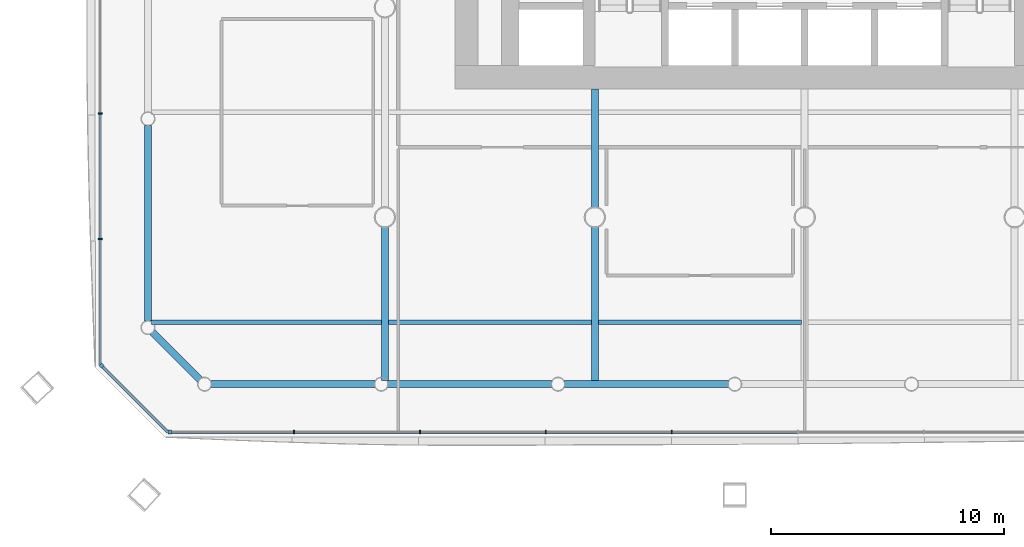
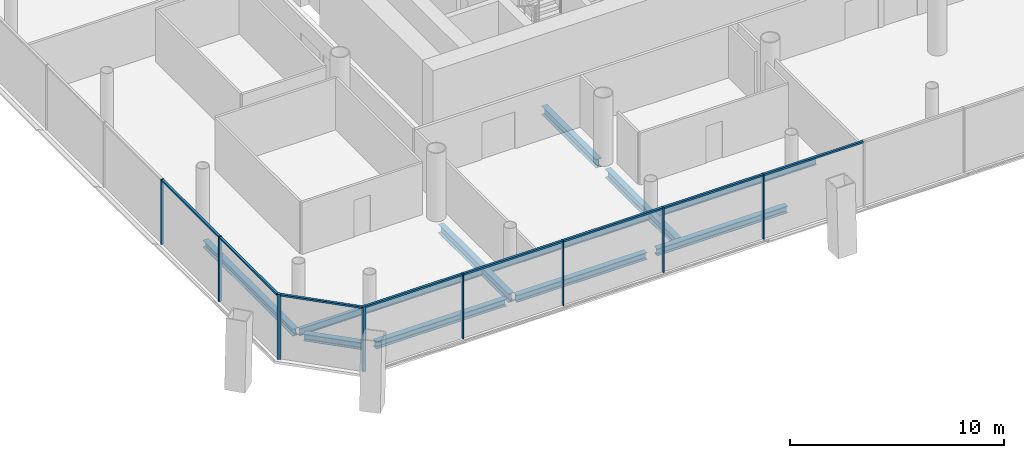
# One storey, part 3 of 22: 16 members, 11 beams, 3 elements without a shape of their own.
"""IFC4 building model written with IfcOpenShell, lengths in metres."""

from ifc_helpers import new_model, si_unit, direction, frame, origin, origin_2d, place, context, subcontext, project, spatial, rectangle, i_section, extrude, material, material_profile, profile_set, type_object, element, aggregate, save


model = new_model("IFC4")

# Units and contexts
model_context = context("Model", 3, precision=1e-05, world=origin(), true_north=direction((0.0, 1.0)))
body_context = subcontext(model_context, "Body", "Model", "MODEL_VIEW")
ifc_project = project(units=[si_unit("LENGTHUNIT", "METRE"), si_unit("AREAUNIT", "SQUARE_METRE"), si_unit("VOLUMEUNIT", "CUBIC_METRE"), si_unit("PLANEANGLEUNIT", "RADIAN"), si_unit("MASSUNIT", "GRAM", prefix="KILO")], contexts=[model_context])

# Site, building, storey
site_placement = place(None, origin())
site = spatial("IfcSite", under=ifc_project, at=site_placement, CompositionType="ELEMENT")
building_placement = place(site_placement, origin())
building = spatial("IfcBuilding", under=site, at=building_placement, Name="Tskaro Facet Tower", CompositionType="ELEMENT")
storey_placement = place(building_placement, frame((0.0, 0.0, 30.300048828125)))
storey = spatial("IfcBuildingStorey", under=building, at=storey_placement, Name="L06", CompositionType="ELEMENT", Elevation=30.300048828125)

# Curtain wall, member
ifc_material_1 = material(Name="Bronze anodised aluminium 6063-T6", Category="aluminium")
curtain_wall_type = type_object("IfcCurtainWallType", Name="Bronze office curtain wall (FW1)", PredefinedType="NOTDEFINED", material=ifc_material_1)
curtain_wall_1_placement = place(storey_placement, origin())
curtain_wall_1 = element("IfcCurtainWall", 1, at=curtain_wall_1_placement, inside=storey, type_object=curtain_wall_type, Name="FW1 south facet L06", PredefinedType="NOTDEFINED")
ifc_material_profile_1 = material_profile(ifc_material_1, rectangle(XDim=0.159912109375, YDim=0.159912109375, at=origin_2d()), Name="Corner post 160x160")
ifc_profile_set_1 = profile_set([ifc_material_profile_1], Name="Bronze anodised aluminium 6063-T6")
member_type_1 = type_object("IfcMemberType", Name="FW1 bronze corner post 160x160", PredefinedType="MULLION", material=ifc_profile_set_1)
member_1_placement = place(storey_placement, frame((-27.22509765625, -27.201904296875, 0.0), z_axis=(0.0, 0.0, 1.0), x_axis=(1.0, 0.0, 0.0)))
member_1 = element("IfcMember", 2, at=member_1_placement, type_object=member_type_1, Name="FW1 south corner post", PredefinedType="MULLION", context=body_context, shape_type="SweptSolid", body=[
    extrude(rectangle(XDim=0.159912109375, YDim=0.159912109375, at=origin_2d()), origin(), (0.0, 0.0, 1.0), 3.699951171875),
])

curtain_wall_2_placement = place(storey_placement, origin())
curtain_wall_2 = element("IfcCurtainWall", 3, at=curtain_wall_2_placement, inside=storey, type_object=curtain_wall_type, Name="FW1 south-west facet L06", PredefinedType="NOTDEFINED")
member_2_placement = place(storey_placement, frame((-30.1455078125, -24.361572265625, 0.0), z_axis=(0.0, 0.0, 1.0), x_axis=(0.707106781187, -0.707106781187, 0.0)))
member_2 = element("IfcMember", 4, at=member_2_placement, type_object=member_type_1, Name="FW1 south-west corner post", PredefinedType="MULLION", context=body_context, shape_type="SweptSolid", body=[
    extrude(rectangle(XDim=0.159912109375, YDim=0.159912109375, at=origin_2d()), origin(), (0.0, 0.0, 1.0), 3.699951171875),
])

# Member
ifc_material_profile_2 = material_profile(ifc_material_1, rectangle(XDim=0.06005859375, YDim=0.159912109375, at=origin_2d()), Name="Mullion 60x160")
ifc_profile_set_2 = profile_set([ifc_material_profile_2], Name="Bronze anodised aluminium 6063-T6")
member_type_2 = type_object("IfcMemberType", Name="FW1 bronze mullion 60x160", PredefinedType="MULLION", material=ifc_profile_set_2)
member_3_placement = place(storey_placement, frame((-21.90380859375, -27.201904296875, 0.0), z_axis=(0.0, 0.0, 1.0), x_axis=(1.0, 0.0, 0.0)))
member_3 = element("IfcMember", 5, at=member_3_placement, type_object=member_type_2, Name="FW1 south mullion 1", PredefinedType="MULLION", context=body_context, shape_type="SweptSolid", body=[
    extrude(rectangle(XDim=0.06005859375, YDim=0.159912109375, at=origin_2d()), origin(), (0.0, 0.0, 1.0), 3.699951171875),
])

member_4_placement = place(storey_placement, frame((-16.502685546875, -27.201904296875, 0.0), z_axis=(0.0, 0.0, 1.0), x_axis=(1.0, 0.0, 0.0)))
member_4 = element("IfcMember", 6, at=member_4_placement, type_object=member_type_2, Name="FW1 south mullion 2", PredefinedType="MULLION", context=body_context, shape_type="SweptSolid", body=[
    extrude(rectangle(XDim=0.06005859375, YDim=0.159912109375, at=origin_2d()), origin(), (0.0, 0.0, 1.0), 3.699951171875),
])

member_5_placement = place(storey_placement, frame((-11.1015625, -27.201904296875, 0.0), z_axis=(0.0, 0.0, 1.0), x_axis=(1.0, 0.0, 0.0)))
member_5 = element("IfcMember", 7, at=member_5_placement, type_object=member_type_2, Name="FW1 south mullion 3", PredefinedType="MULLION", context=body_context, shape_type="SweptSolid", body=[
    extrude(rectangle(XDim=0.06005859375, YDim=0.159912109375, at=origin_2d()), origin(), (0.0, 0.0, 1.0), 3.699951171875),
])

member_6_placement = place(storey_placement, frame((-5.700439453125, -27.201904296875, 0.0), z_axis=(0.0, 0.0, 1.0), x_axis=(1.0, 0.0, 0.0)))
member_6 = element("IfcMember", 8, at=member_6_placement, type_object=member_type_2, Name="FW1 south mullion 4", PredefinedType="MULLION", context=body_context, shape_type="SweptSolid", body=[
    extrude(rectangle(XDim=0.06005859375, YDim=0.159912109375, at=origin_2d()), origin(), (0.0, 0.0, 1.0), 3.699951171875),
])

# Curtain wall, members
curtain_wall_3_placement = place(storey_placement, origin())
curtain_wall_3 = element("IfcCurtainWall", 9, at=curtain_wall_3_placement, inside=storey, type_object=curtain_wall_type, Name="FW1 west facet L06", PredefinedType="NOTDEFINED")
member_7_placement = place(storey_placement, frame((-30.201904296875, -13.555908203125, 0.0), z_axis=(0.0, 0.0, 1.0), x_axis=(0.0, -1.0, 0.0)))
member_7 = element("IfcMember", 10, at=member_7_placement, type_object=member_type_2, Name="FW1 west mullion 7", PredefinedType="MULLION", context=body_context, shape_type="SweptSolid", body=[
    extrude(rectangle(XDim=0.06005859375, YDim=0.159912109375, at=origin_2d()), origin(), (0.0, 0.0, 1.0), 3.699951171875),
])
member_8_placement = place(storey_placement, frame((-30.201904296875, -18.930419921875, 0.0), z_axis=(0.0, 0.0, 1.0), x_axis=(0.0, -1.0, 0.0)))
member_8 = element("IfcMember", 11, at=member_8_placement, type_object=member_type_2, Name="FW1 west mullion 8", PredefinedType="MULLION", context=body_context, shape_type="SweptSolid", body=[
    extrude(rectangle(XDim=0.06005859375, YDim=0.159912109375, at=origin_2d()), origin(), (0.0, 0.0, 1.0), 3.699951171875),
])

# Member
ifc_material_profile_3 = material_profile(ifc_material_1, rectangle(XDim=0.1201171875, YDim=0.10009765625, at=origin_2d()), Name="Transom 120x100")
ifc_profile_set_3 = profile_set([ifc_material_profile_3], Name="Bronze anodised aluminium 6063-T6")
member_type_3 = type_object("IfcMemberType", Name="FW1 bronze transom 120x100", PredefinedType="USERDEFINED", material=ifc_profile_set_3)
member_9_placement = place(storey_placement, frame((-27.14501953125, -27.201904296875, 3.64990234375), z_axis=(1.0, 0.0, 0.0), x_axis=(0.0, 1.0, 0.0)))
member_9 = element("IfcMember", 12, at=member_9_placement, type_object=member_type_3, Name="FW1 south transom 1.1", ObjectType="TRANSOM", PredefinedType="USERDEFINED", context=body_context, shape_type="SweptSolid", body=[
    extrude(rectangle(XDim=0.1201171875, YDim=0.10009765625, at=origin_2d()), origin(), (0.0, 0.0, 1.0), 5.211181640625),
])

member_10_placement = place(storey_placement, frame((-21.873779296875, -27.201904296875, 3.64990234375), z_axis=(1.0, 0.0, 0.0), x_axis=(0.0, 1.0, 0.0)))
member_10 = element("IfcMember", 13, at=member_10_placement, type_object=member_type_3, Name="FW1 south transom 2.1", ObjectType="TRANSOM", PredefinedType="USERDEFINED", context=body_context, shape_type="SweptSolid", body=[
    extrude(rectangle(XDim=0.1201171875, YDim=0.10009765625, at=origin_2d()), origin(), (0.0, 0.0, 1.0), 5.341064453125),
])

member_11_placement = place(storey_placement, frame((-16.47265625, -27.201904296875, 3.64990234375), z_axis=(1.0, 0.0, 0.0), x_axis=(0.0, 1.0, 0.0)))
member_11 = element("IfcMember", 14, at=member_11_placement, type_object=member_type_3, Name="FW1 south transom 3.1", ObjectType="TRANSOM", PredefinedType="USERDEFINED", context=body_context, shape_type="SweptSolid", body=[
    extrude(rectangle(XDim=0.1201171875, YDim=0.10009765625, at=origin_2d()), origin(), (0.0, 0.0, 1.0), 5.341064453125),
])

member_12_placement = place(storey_placement, frame((-11.07177734375, -27.201904296875, 3.64990234375), z_axis=(1.0, 0.0, 0.0), x_axis=(0.0, 1.0, 0.0)))
member_12 = element("IfcMember", 15, at=member_12_placement, type_object=member_type_3, Name="FW1 south transom 4.1", ObjectType="TRANSOM", PredefinedType="USERDEFINED", context=body_context, shape_type="SweptSolid", body=[
    extrude(rectangle(XDim=0.1201171875, YDim=0.10009765625, at=origin_2d()), origin(), (0.0, 0.0, 1.0), 5.34130859375),
])

member_13_placement = place(storey_placement, frame((-5.670654296875, -27.201904296875, 3.64990234375), z_axis=(1.0, 0.0, 0.0), x_axis=(0.0, 1.0, 0.0)))
member_13 = element("IfcMember", 16, at=member_13_placement, type_object=member_type_3, Name="FW1 south transom 5.1", ObjectType="TRANSOM", PredefinedType="USERDEFINED", context=body_context, shape_type="SweptSolid", body=[
    extrude(rectangle(XDim=0.1201171875, YDim=0.10009765625, at=origin_2d()), origin(), (0.0, 0.0, 1.0), 5.34130859375),
])

aggregate(curtain_wall_1, [member_1, member_3, member_4, member_5, member_6, member_9, member_10, member_11, member_12, member_13])

member_14_placement = place(storey_placement, frame((-30.201904296875, -13.5859375, 3.64990234375), z_axis=(0.0, -1.0, 0.0), x_axis=(1.0, 0.0, 0.0)))
member_14 = element("IfcMember", 17, at=member_14_placement, type_object=member_type_3, Name="FW1 west transom 8.1", ObjectType="TRANSOM", PredefinedType="USERDEFINED", context=body_context, shape_type="SweptSolid", body=[
    extrude(rectangle(XDim=0.1201171875, YDim=0.10009765625, at=origin_2d()), origin(), (0.0, 0.0, 1.0), 5.314453125),
])

member_15_placement = place(storey_placement, frame((-30.201904296875, -18.96044921875, 3.64990234375), z_axis=(0.0, -1.0, 0.0), x_axis=(1.0, 0.0, 0.0)))
member_15 = element("IfcMember", 18, at=member_15_placement, type_object=member_type_3, Name="FW1 west transom 9.1", ObjectType="TRANSOM", PredefinedType="USERDEFINED", context=body_context, shape_type="SweptSolid", body=[
    extrude(rectangle(XDim=0.1201171875, YDim=0.10009765625, at=origin_2d()), origin(), (0.0, 0.0, 1.0), 5.344482421875),
])

aggregate(curtain_wall_3, [member_7, member_8, member_14, member_15])

member_16_placement = place(storey_placement, frame((-30.0888671875, -24.418212890625, 3.64990234375), z_axis=(0.707137787162, -0.707075773851, 0.0), x_axis=(0.707075773851, 0.707137787162, 0.0)))
member_16 = element("IfcMember", 19, at=member_16_placement, type_object=member_type_3, Name="FW1 south-west transom 1.1", ObjectType="TRANSOM", PredefinedType="USERDEFINED", context=body_context, shape_type="SweptSolid", body=[
    extrude(rectangle(XDim=0.1201171875, YDim=0.10009765625, at=origin_2d()), origin(), (0.0, 0.0, 1.0), 3.93701171875),
])

aggregate(curtain_wall_2, [member_2, member_16])

# Beams
ifc_material_2 = material(Name="Steel S355J2", Category="steel")
ifc_material_profile_4 = material_profile(ifc_material_2, i_section(OverallWidth=0.300048828125, OverallDepth=0.39990234375, WebThickness=0.013427734375, FlangeThickness=0.02392578125, FilletRadius=0.027099609375, at=origin_2d()), Name="HE 400 B")
ifc_profile_set_4 = profile_set([ifc_material_profile_4], Name="Steel S355J2")
beam_type_1 = type_object("IfcBeamType", Name="HE 400 B ring beam", PredefinedType="BEAM", material=ifc_profile_set_4)
beam_1_placement = place(storey_placement, frame((-25.4541015625, -25.156982421875, -0.340087890625), z_axis=(1.0, 0.0, 0.0), x_axis=(0.0, 1.0, 0.0)))
element("IfcBeam", 20, at=beam_1_placement, inside=storey, type_object=beam_type_1, Name="HE 400 B EB1-1", PredefinedType="BEAM", context=body_context, shape_type="SweptSolid", body=[
    extrude(i_section(OverallWidth=0.300048828125, OverallDepth=0.39990234375, WebThickness=0.013427734375, FlangeThickness=0.02392578125, FilletRadius=0.027099609375, at=origin_2d()), origin(), (0.0, 0.0, 1.0), 7.026123046875),
])
beam_2_placement = place(storey_placement, frame((-17.8779296875, -25.156982421875, -0.340087890625), z_axis=(1.0, 0.0, 0.0), x_axis=(0.0, 1.0, 0.0)))
element("IfcBeam", 21, at=beam_2_placement, inside=storey, type_object=beam_type_1, Name="HE 400 B EB2-1", PredefinedType="BEAM", context=body_context, shape_type="SweptSolid", body=[
    extrude(i_section(OverallWidth=0.300048828125, OverallDepth=0.39990234375, WebThickness=0.013427734375, FlangeThickness=0.02392578125, FilletRadius=0.027099609375, at=origin_2d()), origin(), (0.0, 0.0, 1.0), 7.02685546875),
])
beam_3_placement = place(storey_placement, frame((-10.301025390625, -25.156982421875, -0.340087890625), z_axis=(1.0, 0.0, 0.0), x_axis=(0.0, 1.0, 0.0)))
element("IfcBeam", 22, at=beam_3_placement, inside=storey, type_object=beam_type_1, Name="HE 400 B EB3-1", PredefinedType="BEAM", context=body_context, shape_type="SweptSolid", body=[
    extrude(i_section(OverallWidth=0.300048828125, OverallDepth=0.39990234375, WebThickness=0.013427734375, FlangeThickness=0.02392578125, FilletRadius=0.027099609375, at=origin_2d()), origin(), (0.0, 0.0, 1.0), 7.026123046875),
])
beam_4_placement = place(storey_placement, frame((-28.156982421875, -14.055908203125, -0.340087890625), z_axis=(0.0, -1.0, 0.0), x_axis=(1.0, 0.0, 0.0)))
element("IfcBeam", 23, at=beam_4_placement, inside=storey, type_object=beam_type_1, Name="HE 400 B EB24-1", PredefinedType="BEAM", context=body_context, shape_type="SweptSolid", body=[
    extrude(i_section(OverallWidth=0.300048828125, OverallDepth=0.39990234375, WebThickness=0.013427734375, FlangeThickness=0.02392578125, FilletRadius=0.027099609375, at=origin_2d()), origin(), (0.0, 0.0, 1.0), 8.398193359375),
])
beam_5_placement = place(storey_placement, frame((-27.962646484375, -22.92333984375, -0.340087890625), z_axis=(0.707106781187, -0.707106781187, 0.0), x_axis=(0.707106781187, 0.707106781187, 0.0)))
element("IfcBeam", 24, at=beam_5_placement, inside=storey, type_object=beam_type_1, Name="HE 400 B EB25-1", PredefinedType="BEAM", context=body_context, shape_type="SweptSolid", body=[
    extrude(i_section(OverallWidth=0.300048828125, OverallDepth=0.39990234375, WebThickness=0.013427734375, FlangeThickness=0.02392578125, FilletRadius=0.027099609375, at=origin_2d()), origin(), (0.0, 0.0, 1.0), 2.884033203125),
])
ifc_material_profile_5 = material_profile(ifc_material_2, i_section(OverallWidth=0.300048828125, OverallDepth=0.489990234375, WebThickness=0.011962890625, FlangeThickness=0.02294921875, FilletRadius=0.027099609375, at=origin_2d()), Name="HE 500 A")
ifc_profile_set_5 = profile_set([ifc_material_profile_5], Name="Steel S355J2")
beam_type_2 = type_object("IfcBeamType", Name="HE 500 A girder", PredefinedType="BEAM", material=ifc_profile_set_5)
for number, where, z_axis, x_axis, name in (
    (25, (-18.0, -25.007080078125, -0.385009765625), (0.0, 1.0, 0.0), (-1.0, 0.0, 0.0), "HE 500 A GB2-1-1"),
    (26, (-9.0, -25.007080078125, -0.385009765625), (0.0, 1.0, 0.0), (-1.0, 0.0, 0.0), "HE 500 A GB3-1-1"),
):
    element("IfcBeam", number, at=place(storey_placement, frame(where, z_axis=z_axis, x_axis=x_axis)), inside=storey, type_object=beam_type_2, Name=name, PredefinedType="BEAM", context=body_context, shape_type="SweptSolid", body=[
        extrude(i_section(OverallWidth=0.300048828125, OverallDepth=0.489990234375, WebThickness=0.011962890625, FlangeThickness=0.02294921875, FilletRadius=0.027099609375, at=origin_2d()), origin(), (0.0, 0.0, 1.0), 6.579833984375),
    ])
beam_6_placement = place(storey_placement, frame((-9.0, -17.57275390625, -0.385009765625), z_axis=(0.0, 1.0, 0.0), x_axis=(-1.0, 0.0, 0.0)))
element("IfcBeam", 27, at=beam_6_placement, inside=storey, type_object=beam_type_2, Name="HE 500 A GB3-2-1", PredefinedType="BEAM", context=body_context, shape_type="SweptSolid", body=[
    extrude(i_section(OverallWidth=0.300048828125, OverallDepth=0.489990234375, WebThickness=0.011962890625, FlangeThickness=0.02294921875, FilletRadius=0.027099609375, at=origin_2d()), origin(), (0.0, 0.0, 1.0), 5.07275390625),
])
ifc_material_profile_6 = material_profile(ifc_material_2, i_section(OverallWidth=0.179931640625, OverallDepth=0.39990234375, WebThickness=0.008544921875, FlangeThickness=0.013427734375, FilletRadius=0.02099609375, at=origin_2d()), Name="IPE 400")
ifc_profile_set_6 = profile_set([ifc_material_profile_6], Name="Steel S355J2")
beam_type_3 = type_object("IfcBeamType", Name="IPE 400 secondary beam", PredefinedType="BEAM", material=ifc_profile_set_6)
beam_7_placement = place(storey_placement, frame((-28.007080078125, -22.5, -0.340087890625), z_axis=(1.0, 0.0, 0.0), x_axis=(0.0, 1.0, 0.0)))
element("IfcBeam", 28, at=beam_7_placement, inside=storey, type_object=beam_type_3, Name="IPE 400 SB1a-1-1", PredefinedType="BEAM", context=body_context, shape_type="SweptSolid", body=[
    extrude(i_section(OverallWidth=0.179931640625, OverallDepth=0.39990234375, WebThickness=0.008544921875, FlangeThickness=0.013427734375, FilletRadius=0.02099609375, at=origin_2d()), origin(), (0.0, 0.0, 1.0), 9.857177734375),
])
for number, where, z_axis, x_axis, name in (
    (29, (-17.85009765625, -22.5, -0.340087890625), (1.0, 0.0, 0.0), (0.0, 1.0, 0.0), "IPE 400 SB1a-2-1"),
    (30, (-8.85009765625, -22.5, -0.340087890625), (1.0, 0.0, 0.0), (0.0, 1.0, 0.0), "IPE 400 SB1a-3-1"),
):
    element("IfcBeam", number, at=place(storey_placement, frame(where, z_axis=z_axis, x_axis=x_axis)), inside=storey, type_object=beam_type_3, Name=name, PredefinedType="BEAM", context=body_context, shape_type="SweptSolid", body=[
        extrude(i_section(OverallWidth=0.179931640625, OverallDepth=0.39990234375, WebThickness=0.008544921875, FlangeThickness=0.013427734375, FilletRadius=0.02099609375, at=origin_2d()), origin(), (0.0, 0.0, 1.0), 8.7001953125),
    ])

save(model, "model.ifc")
